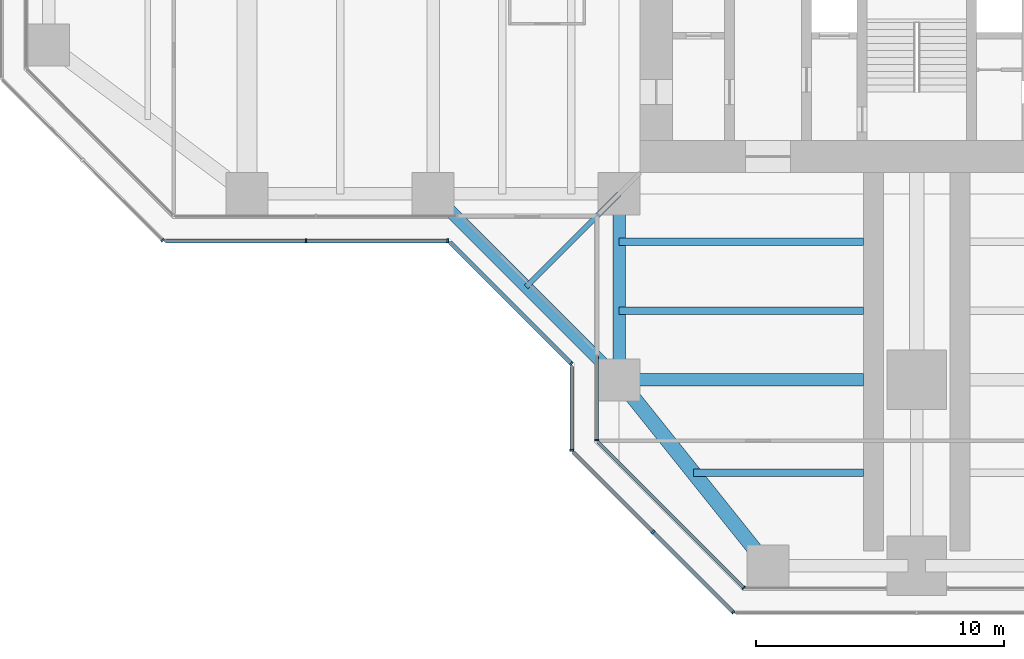
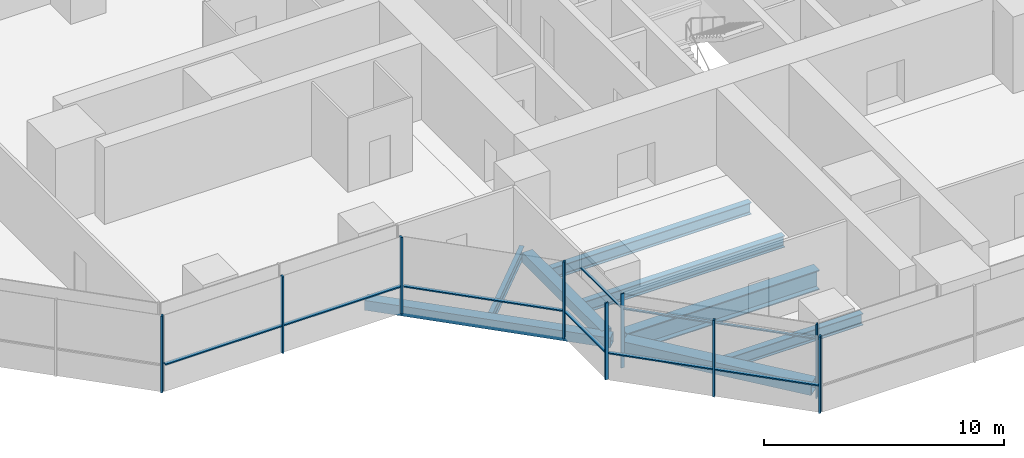
# One storey, part 2 of 19: 17 members, 8 beams, 7 elements without a shape of their own.
"""IFC4 building model written with IfcOpenShell, lengths in metres."""

from ifc_helpers import new_model, si_unit, direction, frame, origin, origin_2d, place, context, subcontext, project, spatial, rectangle, hollow_rectangle, i_section, extrude, material, material_profile, profile_set, type_object, element, aggregate, save


model = new_model("IFC4")

# Units and contexts
model_context = context("Model", 3, precision=1e-05, world=origin(), true_north=direction((0.0, 1.0)))
body_context = subcontext(model_context, "Body", "Model", "MODEL_VIEW")
ifc_project = project(units=[si_unit("LENGTHUNIT", "METRE"), si_unit("AREAUNIT", "SQUARE_METRE"), si_unit("VOLUMEUNIT", "CUBIC_METRE"), si_unit("PLANEANGLEUNIT", "RADIAN"), si_unit("MASSUNIT", "GRAM", prefix="KILO")], contexts=[model_context])

# Site, building, storey
site_placement = place(None, origin())
site = spatial("IfcSite", under=ifc_project, at=site_placement, CompositionType="ELEMENT")
building_placement = place(site_placement, origin())
building = spatial("IfcBuilding", under=site, at=building_placement, Name="Mizan Broadcast Tower", CompositionType="ELEMENT")
storey_placement = place(building_placement, frame((0.0, 0.0, 132.0)))
storey = spatial("IfcBuildingStorey", under=building, at=storey_placement, Name="L29", CompositionType="ELEMENT", Elevation=132.0)

# Beams
ifc_material_1 = material(Name="Steel S355", Category="steel")
ifc_material_profile_1 = material_profile(ifc_material_1, hollow_rectangle(XDim=0.5, YDim=0.5, WallThickness=0.030029296875, at=origin_2d()), Name="BOX 500x500x30")
ifc_profile_set_1 = profile_set([ifc_material_profile_1], Name="Steel S355")
beam_type_1 = type_object("IfcBeamType", Name="EDGE BEAM BOX 500x500x30", PredefinedType="SPANDREL", material=ifc_profile_set_1)
beam_1_placement = place(storey_placement, frame((-12.0, -12.449951171875, -0.3798828125), z_axis=(0.0, -1.0, 0.0), x_axis=(1.0, 0.0, 0.0)))
element("IfcBeam", 1, at=beam_1_placement, inside=storey, type_object=beam_type_1, Name="Edge beam BOX 500x500x30 L29 south arm", PredefinedType="SPANDREL", context=body_context, shape_type="SweptSolid", body=[
    extrude(hollow_rectangle(XDim=0.5, YDim=0.5, WallThickness=0.030029296875, at=origin_2d()), origin(), (0.0, 0.0, 1.0), 6.60009765625),
])
beam_2_placement = place(storey_placement, frame((-19.5, -12.0, -0.3798828125), z_axis=(0.707106781187, -0.707106781187, 0.0), x_axis=(0.707106781187, 0.707106781187, 0.0)))
element("IfcBeam", 2, at=beam_2_placement, inside=storey, type_object=beam_type_1, Name="Winter garden edge beam L29 W", PredefinedType="SPANDREL", context=body_context, shape_type="SweptSolid", body=[
    extrude(hollow_rectangle(XDim=0.5, YDim=0.5, WallThickness=0.030029296875, at=origin_2d()), origin(), (0.0, 0.0, 1.0), 10.606689453125),
])
ifc_material_2 = material(Name="Steel S355", Category="steel")
ifc_material_profile_2 = material_profile(ifc_material_2, hollow_rectangle(XDim=0.60009765625, YDim=0.60009765625, WallThickness=0.030029296875, at=origin_2d()), Name="BOX 600x600x30")
ifc_profile_set_2 = profile_set([ifc_material_profile_2], Name="Steel S355")
beam_type_2 = type_object("IfcBeamType", Name="EDGE BEAM BOX 600x600x30", PredefinedType="SPANDREL", material=ifc_profile_set_2)
beam_3_placement = place(storey_placement, frame((-11.639892578125, -19.949951171875, -0.429931640625), z_axis=(0.624673911726, -0.780885717636, 0.0), x_axis=(0.780885717636, 0.624673911726, 0.0)))
element("IfcBeam", 3, at=beam_3_placement, inside=storey, type_object=beam_type_2, Name="Edge beam BOX 600x600x30 L29 south arm", PredefinedType="SPANDREL", context=body_context, shape_type="SweptSolid", body=[
    extrude(hollow_rectangle(XDim=0.60009765625, YDim=0.60009765625, WallThickness=0.030029296875, at=origin_2d()), origin(), (0.0, 0.0, 1.0), 8.4521484375),
])
ifc_material_3 = material(Name="Steel S460", Category="steel")
ifc_material_profile_3 = material_profile(ifc_material_3, i_section(OverallWidth=0.5, OverallDepth=1.0, WebThickness=0.02490234375, FlangeThickness=0.050048828125, at=origin_2d()), Name="WPG 1000x500")
ifc_profile_set_3 = profile_set([ifc_material_profile_3], Name="Steel S460")
beam_type_3 = type_object("IfcBeamType", Name="GIRDER WPG 1000x500", PredefinedType="BEAM", material=ifc_profile_set_3)
beam_4_placement = place(storey_placement, frame((-11.408935546875, -19.5, -0.6298828125), z_axis=(1.0, 0.0, 0.0), x_axis=(0.0, 1.0, 0.0)))
element("IfcBeam", 4, at=beam_4_placement, inside=storey, type_object=beam_type_3, Name="Girder WPG 1000x500 L29 south arm", PredefinedType="BEAM", context=body_context, shape_type="SweptSolid", body=[
    extrude(i_section(OverallWidth=0.5, OverallDepth=1.0, WebThickness=0.02490234375, FlangeThickness=0.050048828125, at=origin_2d()), origin(), (0.0, 0.0, 1.0), 9.259033203125),
])

# Curtain wall, member
ifc_material_4 = material(Name="Aluminium framed glazing", Category="aluminium")
curtain_wall_type_1 = type_object("IfcCurtainWallType", Name="INNER SKIN MID ZONE", PredefinedType="USERDEFINED", material=ifc_material_4)
curtain_wall_1_placement = place(storey_placement, origin())
curtain_wall_1 = element("IfcCurtainWall", 5, at=curtain_wall_1_placement, inside=storey, type_object=curtain_wall_type_1, Name="Inner skin mid zone L29 S side", ObjectType="INNER SKIN MID ZONE", PredefinedType="USERDEFINED")
ifc_material_5 = material(Name="Aluminium, pale anodised", Category="aluminium")
ifc_material_profile_4 = material_profile(ifc_material_5, rectangle(XDim=0.159912109375, YDim=0.06005859375, at=origin_2d()), Name="MULLION 160x60")
ifc_profile_set_4 = profile_set([ifc_material_profile_4], Name="Aluminium, pale anodised")
member_type_1 = type_object("IfcMemberType", Name="INNER SKIN MULLION 60x160", PredefinedType="MULLION", material=ifc_profile_set_4)
member_1_placement = place(storey_placement, frame((-12.89990234375, -21.928466796875, 0.0), z_axis=(0.0, 0.0, 1.0), x_axis=(1.0, 0.0, 0.0)))
member_1 = element("IfcMember", 6, at=member_1_placement, type_object=member_type_1, Name="Inner skin mid zone L29 S side mullion 2", PredefinedType="MULLION", context=body_context, shape_type="SweptSolid", body=[
    extrude(rectangle(XDim=0.159912109375, YDim=0.06005859375, at=origin_2d()), origin(), (0.0, 0.0, 1.0), 3.77001953125),
])

curtain_wall_2_placement = place(storey_placement, origin())
curtain_wall_2 = element("IfcCurtainWall", 7, at=curtain_wall_2_placement, inside=storey, type_object=curtain_wall_type_1, Name="Inner skin mid zone L29 S chamfer", ObjectType="INNER SKIN MID ZONE", PredefinedType="USERDEFINED")
member_2_placement = place(storey_placement, frame((-6.979736328125, -27.87890625, 0.0), z_axis=(0.0, 0.0, 1.0), x_axis=(0.707106781187, 0.707106781187, 0.0)))
member_2 = element("IfcMember", 8, at=member_2_placement, type_object=member_type_1, Name="Inner skin mid zone L29 S chamfer mullion 2", PredefinedType="MULLION", context=body_context, shape_type="SweptSolid", body=[
    extrude(rectangle(XDim=0.159912109375, YDim=0.06005859375, at=origin_2d()), origin(), (0.0, 0.0, 1.0), 3.77001953125),
])

# Member
ifc_material_6 = material(Name="Aluminium, pale anodised", Category="aluminium")
ifc_material_profile_5 = material_profile(ifc_material_6, rectangle(XDim=0.1201171875, YDim=0.06005859375, at=origin_2d()), Name="TRANSOM 120x60")
ifc_profile_set_5 = profile_set([ifc_material_profile_5], Name="Aluminium, pale anodised")
member_type_2 = type_object("IfcMemberType", Name="INNER SKIN TRANSOM 60x120", PredefinedType="USERDEFINED", material=ifc_profile_set_5)
member_3_placement = place(storey_placement, frame((-12.89990234375, -18.56005859375, 3.030029296875), z_axis=(0.0, -1.0, 0.0), x_axis=(1.0, 0.0, 0.0)))
member_3 = element("IfcMember", 9, at=member_3_placement, type_object=member_type_2, Name="Inner skin mid zone L29 S side transom 1.1", ObjectType="TRANSOM", PredefinedType="USERDEFINED", context=body_context, shape_type="SweptSolid", body=[
    extrude(rectangle(XDim=0.1201171875, YDim=0.06005859375, at=origin_2d()), origin(), (0.0, 0.0, 1.0), 3.338623046875),
])

aggregate(curtain_wall_1, [member_1, member_3])

member_4_placement = place(storey_placement, frame((-12.857666015625, -22.0009765625, 3.030029296875), z_axis=(0.707106781187, -0.707106781187, 0.0), x_axis=(0.707106781187, 0.707106781187, 0.0)))
member_4 = element("IfcMember", 10, at=member_4_placement, type_object=member_type_2, Name="Inner skin mid zone L29 S chamfer transom 1.1", ObjectType="TRANSOM", PredefinedType="USERDEFINED", context=body_context, shape_type="SweptSolid", body=[
    extrude(rectangle(XDim=0.1201171875, YDim=0.06005859375, at=origin_2d()), origin(), (0.0, 0.0, 1.0), 8.28271484375),
])

aggregate(curtain_wall_2, [member_2, member_4])

# Curtain wall, member
ifc_material_7 = material(Name="Aluminium framed glazing", Category="aluminium")
curtain_wall_type_2 = type_object("IfcCurtainWallType", Name="OUTER SKIN", PredefinedType="USERDEFINED", material=ifc_material_7)
curtain_wall_3_placement = place(storey_placement, origin())
curtain_wall_3 = element("IfcCurtainWall", 11, at=curtain_wall_3_placement, inside=storey, type_object=curtain_wall_type_2, Name="Outer skin L29 W chamfer", ObjectType="OUTER SKIN", PredefinedType="USERDEFINED")
ifc_material_8 = material(Name="Aluminium, pale anodised", Category="aluminium")
ifc_material_profile_6 = material_profile(ifc_material_8, rectangle(XDim=0.159912109375, YDim=0.080078125, at=origin_2d()), Name="MULLION 160x80")
ifc_profile_set_6 = profile_set([ifc_material_profile_6], Name="Aluminium, pale anodised")
member_type_3 = type_object("IfcMemberType", Name="OUTER SKIN MULLION 80x160", PredefinedType="MULLION", material=ifc_profile_set_6)
member_5_placement = place(storey_placement, frame((-30.401123046875, -13.871826171875, 0.0), z_axis=(0.0, 0.0, 1.0), x_axis=(0.707106781187, 0.707106781187, 0.0)))
member_5 = element("IfcMember", 12, at=member_5_placement, type_object=member_type_3, Name="Outer skin L29 W chamfer mullion 3", PredefinedType="MULLION", context=body_context, shape_type="SweptSolid", body=[
    extrude(rectangle(XDim=0.159912109375, YDim=0.080078125, at=origin_2d()), origin(), (0.0, 0.0, 1.0), 3.89990234375),
])
aggregate(curtain_wall_3, [member_5])

# Curtain wall, members
curtain_wall_4_placement = place(storey_placement, origin())
curtain_wall_4 = element("IfcCurtainWall", 13, at=curtain_wall_4_placement, inside=storey, type_object=curtain_wall_type_2, Name="Outer skin L29 W side", ObjectType="OUTER SKIN", PredefinedType="USERDEFINED")
member_6_placement = place(storey_placement, frame((-24.622802734375, -13.89990234375, 0.0), z_axis=(0.0, 0.0, 1.0), x_axis=(0.0, 1.0, 0.0)))
member_6 = element("IfcMember", 14, at=member_6_placement, type_object=member_type_3, Name="Outer skin L29 W side mullion 2", PredefinedType="MULLION", context=body_context, shape_type="SweptSolid", body=[
    extrude(rectangle(XDim=0.159912109375, YDim=0.080078125, at=origin_2d()), origin(), (0.0, 0.0, 1.0), 3.89990234375),
])
member_7_placement = place(storey_placement, frame((-18.912841796875, -13.89990234375, 0.0), z_axis=(0.0, 0.0, 1.0), x_axis=(0.0, 1.0, 0.0)))
member_7 = element("IfcMember", 15, at=member_7_placement, type_object=member_type_3, Name="Outer skin L29 W side mullion 3", PredefinedType="MULLION", context=body_context, shape_type="SweptSolid", body=[
    extrude(rectangle(XDim=0.159912109375, YDim=0.080078125, at=origin_2d()), origin(), (0.0, 0.0, 1.0), 3.89990234375),
])

# Curtain wall, member
curtain_wall_5_placement = place(storey_placement, origin())
curtain_wall_5 = element("IfcCurtainWall", 16, at=curtain_wall_5_placement, inside=storey, type_object=curtain_wall_type_2, Name="Outer skin L29 W chamfer", ObjectType="OUTER SKIN", PredefinedType="USERDEFINED")
member_8_placement = place(storey_placement, frame((-13.92822265625, -18.844482421875, 0.0), z_axis=(0.0, 0.0, 1.0), x_axis=(0.707106781187, 0.707106781187, 0.0)))
member_8 = element("IfcMember", 17, at=member_8_placement, type_object=member_type_3, Name="Outer skin L29 W chamfer mullion 2", PredefinedType="MULLION", context=body_context, shape_type="SweptSolid", body=[
    extrude(rectangle(XDim=0.159912109375, YDim=0.080078125, at=origin_2d()), origin(), (0.0, 0.0, 1.0), 3.89990234375),
])

curtain_wall_6_placement = place(storey_placement, origin())
curtain_wall_6 = element("IfcCurtainWall", 18, at=curtain_wall_6_placement, inside=storey, type_object=curtain_wall_type_2, Name="Outer skin L29 S side", ObjectType="OUTER SKIN", PredefinedType="USERDEFINED")
member_9_placement = place(storey_placement, frame((-13.89990234375, -22.332763671875, 0.0), z_axis=(0.0, 0.0, 1.0), x_axis=(1.0, 0.0, 0.0)))
member_9 = element("IfcMember", 19, at=member_9_placement, type_object=member_type_3, Name="Outer skin L29 S side mullion 2", PredefinedType="MULLION", context=body_context, shape_type="SweptSolid", body=[
    extrude(rectangle(XDim=0.159912109375, YDim=0.080078125, at=origin_2d()), origin(), (0.0, 0.0, 1.0), 3.89990234375),
])

# Curtain wall, members
curtain_wall_7_placement = place(storey_placement, origin())
curtain_wall_7 = element("IfcCurtainWall", 20, at=curtain_wall_7_placement, inside=storey, type_object=curtain_wall_type_2, Name="Outer skin L29 S chamfer", ObjectType="OUTER SKIN", PredefinedType="USERDEFINED")
member_10_placement = place(storey_placement, frame((-10.636474609375, -25.636474609375, 0.0), z_axis=(0.0, 0.0, 1.0), x_axis=(0.707106781187, 0.707106781187, 0.0)))
member_10 = element("IfcMember", 21, at=member_10_placement, type_object=member_type_3, Name="Outer skin L29 S chamfer mullion 2", PredefinedType="MULLION", context=body_context, shape_type="SweptSolid", body=[
    extrude(rectangle(XDim=0.159912109375, YDim=0.080078125, at=origin_2d()), origin(), (0.0, 0.0, 1.0), 3.89990234375),
])
member_11_placement = place(storey_placement, frame((-7.401123046875, -28.871826171875, 0.0), z_axis=(0.0, 0.0, 1.0), x_axis=(0.707106781187, 0.707106781187, 0.0)))
member_11 = element("IfcMember", 22, at=member_11_placement, type_object=member_type_3, Name="Outer skin L29 S chamfer mullion 3", PredefinedType="MULLION", context=body_context, shape_type="SweptSolid", body=[
    extrude(rectangle(XDim=0.159912109375, YDim=0.080078125, at=origin_2d()), origin(), (0.0, 0.0, 1.0), 3.89990234375),
])

# Member
ifc_material_9 = material(Name="Aluminium, pale anodised", Category="aluminium")
ifc_material_profile_7 = material_profile(ifc_material_9, rectangle(XDim=0.159912109375, YDim=0.06005859375, at=origin_2d()), Name="TRANSOM 160x60")
ifc_profile_set_7 = profile_set([ifc_material_profile_7], Name="Aluminium, pale anodised")
member_type_4 = type_object("IfcMemberType", Name="OUTER SKIN TRANSOM 60x160", PredefinedType="USERDEFINED", material=ifc_profile_set_7)
member_12_placement = place(storey_placement, frame((-30.292724609375, -13.89990234375, 1.39990234375), z_axis=(1.0, 0.0, 0.0), x_axis=(0.0, 1.0, 0.0)))
member_12 = element("IfcMember", 23, at=member_12_placement, type_object=member_type_4, Name="Outer skin L29 W side transom 1.1", ObjectType="TRANSOM", PredefinedType="USERDEFINED", context=body_context, shape_type="SweptSolid", body=[
    extrude(rectangle(XDim=0.159912109375, YDim=0.06005859375, at=origin_2d()), origin(), (0.0, 0.0, 1.0), 5.6298828125),
])

member_13_placement = place(storey_placement, frame((-24.582763671875, -13.89990234375, 1.39990234375), z_axis=(1.0, 0.0, 0.0), x_axis=(0.0, 1.0, 0.0)))
member_13 = element("IfcMember", 24, at=member_13_placement, type_object=member_type_4, Name="Outer skin L29 W side transom 2.1", ObjectType="TRANSOM", PredefinedType="USERDEFINED", context=body_context, shape_type="SweptSolid", body=[
    extrude(rectangle(XDim=0.159912109375, YDim=0.06005859375, at=origin_2d()), origin(), (0.0, 0.0, 1.0), 5.6298828125),
])

aggregate(curtain_wall_4, [member_6, member_7, member_12, member_13])

member_14_placement = place(storey_placement, frame((-18.816162109375, -13.95654296875, 1.39990234375), z_axis=(0.707106781187, -0.707106781187, 0.0), x_axis=(0.707106781187, 0.707106781187, 0.0)))
member_14 = element("IfcMember", 25, at=member_14_placement, type_object=member_type_4, Name="Outer skin L29 W chamfer transom 1.1", ObjectType="TRANSOM", PredefinedType="USERDEFINED", context=body_context, shape_type="SweptSolid", body=[
    extrude(rectangle(XDim=0.159912109375, YDim=0.06005859375, at=origin_2d()), origin(), (0.0, 0.0, 1.0), 6.87255859375),
])

aggregate(curtain_wall_5, [member_8, member_14])

member_15_placement = place(storey_placement, frame((-13.89990234375, -18.952880859375, 1.39990234375), z_axis=(0.0, -1.0, 0.0), x_axis=(1.0, 0.0, 0.0)))
member_15 = element("IfcMember", 26, at=member_15_placement, type_object=member_type_4, Name="Outer skin L29 S side transom 1.1", ObjectType="TRANSOM", PredefinedType="USERDEFINED", context=body_context, shape_type="SweptSolid", body=[
    extrude(rectangle(XDim=0.159912109375, YDim=0.06005859375, at=origin_2d()), origin(), (0.0, 0.0, 1.0), 3.33984375),
])

aggregate(curtain_wall_6, [member_9, member_15])

member_16_placement = place(storey_placement, frame((-13.843505859375, -22.429443359375, 1.39990234375), z_axis=(0.707106781187, -0.707106781187, 0.0), x_axis=(0.707106781187, 0.707106781187, 0.0)))
member_16 = element("IfcMember", 27, at=member_16_placement, type_object=member_type_4, Name="Outer skin L29 S chamfer transom 1.1", ObjectType="TRANSOM", PredefinedType="USERDEFINED", context=body_context, shape_type="SweptSolid", body=[
    extrude(rectangle(XDim=0.159912109375, YDim=0.06005859375, at=origin_2d()), origin(), (0.0, 0.0, 1.0), 4.495361328125),
])

member_17_placement = place(storey_placement, frame((-10.608154296875, -25.664794921875, 1.39990234375), z_axis=(0.707106781187, -0.707106781187, 0.0), x_axis=(0.707106781187, 0.707106781187, 0.0)))
member_17 = element("IfcMember", 28, at=member_17_placement, type_object=member_type_4, Name="Outer skin L29 S chamfer transom 2.1", ObjectType="TRANSOM", PredefinedType="USERDEFINED", context=body_context, shape_type="SweptSolid", body=[
    extrude(rectangle(XDim=0.159912109375, YDim=0.06005859375, at=origin_2d()), origin(), (0.0, 0.0, 1.0), 4.495361328125),
])

aggregate(curtain_wall_7, [member_10, member_11, member_16, member_17])

# Beams
ifc_material_10 = material(Name="Steel S355", Category="steel")
ifc_material_profile_8 = material_profile(ifc_material_10, i_section(OverallWidth=0.300048828125, OverallDepth=0.590087890625, WebThickness=0.012939453125, FlangeThickness=0.02490234375, FilletRadius=0.027099609375, at=origin_2d()), Name="HEA 600")
ifc_profile_set_8 = profile_set([ifc_material_profile_8], Name="Steel S355")
beam_type_4 = type_object("IfcBeamType", Name="SECONDARY BEAM HEA 600", PredefinedType="JOIST", material=ifc_profile_set_8)
for number, where, z_axis, x_axis, name in (
    (29, (-12.0, -13.933349609375, -0.425048828125), (1.0, 0.0, 0.0), (0.0, 1.0, 0.0), "Secondary beam HEA 600 L29 south arm"),
    (30, (-12.0, -16.716552734375, -0.425048828125), (1.0, 0.0, 0.0), (0.0, 1.0, 0.0), "Secondary beam HEA 600 L29 south arm"),
):
    element("IfcBeam", number, at=place(storey_placement, frame(where, z_axis=z_axis, x_axis=x_axis)), inside=storey, type_object=beam_type_4, Name=name, PredefinedType="JOIST", context=body_context, shape_type="SweptSolid", body=[
        extrude(i_section(OverallWidth=0.300048828125, OverallDepth=0.590087890625, WebThickness=0.012939453125, FlangeThickness=0.02490234375, FilletRadius=0.027099609375, at=origin_2d()), origin(), (0.0, 0.0, 1.0), 9.85009765625),
    ])
beam_5_placement = place(storey_placement, frame((-9.0, -23.25, -0.425048828125), z_axis=(1.0, 0.0, 0.0), x_axis=(0.0, 1.0, 0.0)))
element("IfcBeam", 31, at=beam_5_placement, inside=storey, type_object=beam_type_4, Name="Secondary beam HEA 600 L29 south arm", PredefinedType="JOIST", context=body_context, shape_type="SweptSolid", body=[
    extrude(i_section(OverallWidth=0.300048828125, OverallDepth=0.590087890625, WebThickness=0.012939453125, FlangeThickness=0.02490234375, FilletRadius=0.027099609375, at=origin_2d()), origin(), (0.0, 0.0, 1.0), 6.85009765625),
])
ifc_material_11 = material(Name="Steel S355", Category="steel")
ifc_material_profile_9 = material_profile(ifc_material_11, i_section(OverallWidth=0.2099609375, OverallDepth=0.550048828125, WebThickness=0.010986328125, FlangeThickness=0.01708984375, FilletRadius=0.02392578125, at=origin_2d()), Name="IPE 550")
ifc_profile_set_9 = profile_set([ifc_material_profile_9], Name="Steel S355")
beam_type_5 = type_object("IfcBeamType", Name="SECONDARY BEAM IPE 550", PredefinedType="JOIST", material=ifc_profile_set_9)
beam_6_placement = place(storey_placement, frame((-12.0, -12.0, -0.405029296875), z_axis=(-0.707106781187, -0.707106781187, 0.0), x_axis=(0.707106781187, -0.707106781187, 0.0)))
element("IfcBeam", 32, at=beam_6_placement, inside=storey, type_object=beam_type_5, Name="Winter garden beam L29 W", PredefinedType="JOIST", context=body_context, shape_type="SweptSolid", body=[
    extrude(i_section(OverallWidth=0.2099609375, OverallDepth=0.550048828125, WebThickness=0.010986328125, FlangeThickness=0.01708984375, FilletRadius=0.02392578125, at=origin_2d()), origin(), (0.0, 0.0, 1.0), 5.30322265625),
])

save(model, "model.ifc")
